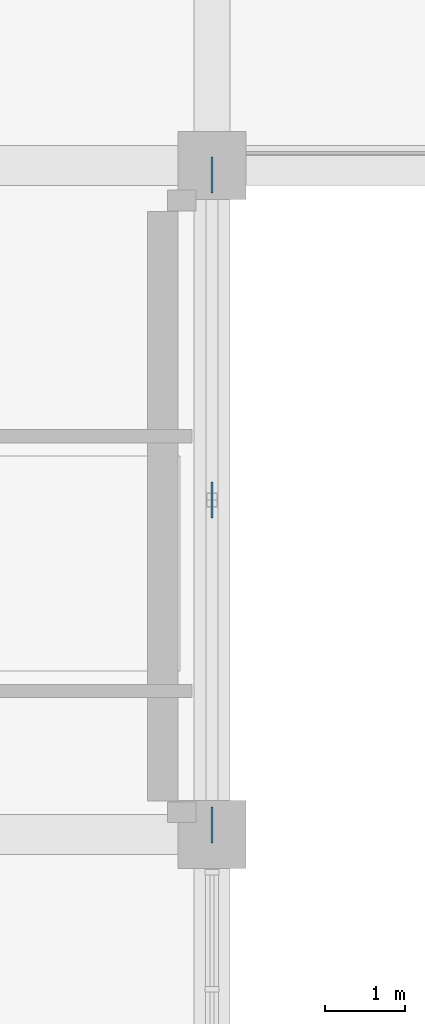
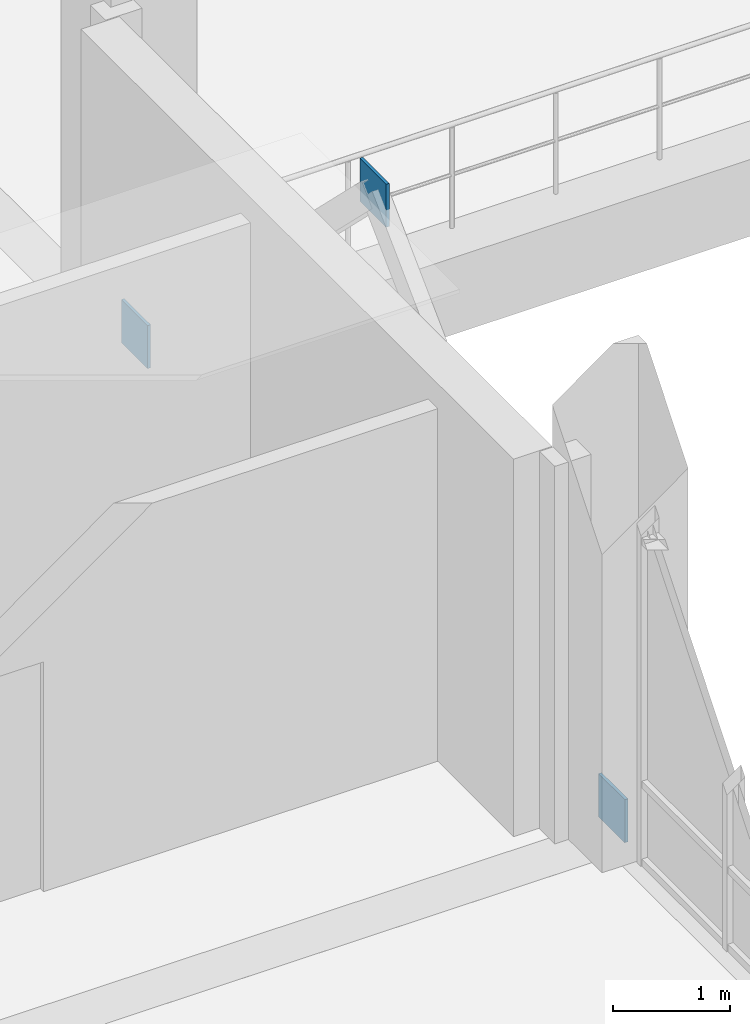
# One storey, part 112 of 152: 3 plates.
"""IFC4 building model written with IfcOpenShell, lengths in metres."""

from ifc_helpers import new_model, si_unit, direction, frame, origin, origin_2d, place, context, subcontext, project, spatial, rectangle, extrude, material, layer, layer_set, type_object, element, save


model = new_model("IFC4")

# Units and contexts
model_context = context("Model", 3, precision=1e-05, world=origin(), true_north=direction((0.0, 1.0)))
body_context = subcontext(model_context, "Body", "Model", "MODEL_VIEW")
ifc_project = project(units=[si_unit("LENGTHUNIT", "METRE"), si_unit("AREAUNIT", "SQUARE_METRE"), si_unit("VOLUMEUNIT", "CUBIC_METRE"), si_unit("PLANEANGLEUNIT", "RADIAN"), si_unit("MASSUNIT", "GRAM", prefix="KILO")], contexts=[model_context])

# Site, building, storey
site_placement = place(None, origin())
site = spatial("IfcSite", under=ifc_project, at=site_placement, CompositionType="ELEMENT")
building_placement = place(site_placement, origin())
building = spatial("IfcBuilding", under=site, at=building_placement, Name="Oolite Switchyard Hospital", CompositionType="ELEMENT")
storey_placement = place(building_placement, frame((0.0, 0.0, 5.10009765625)))
storey = spatial("IfcBuildingStorey", under=building, at=storey_placement, Name="L01", CompositionType="ELEMENT", Elevation=5.10009765625)

# Plates
ifc_material = material(Name="Steel ASTM A572 Grade 50", Category="steel")
ifc_layer = layer(ifc_material, 0.030029296875)
ifc_layer_set = layer_set([ifc_layer], Name="PLT-GUS-450")
plate_type = type_object("IfcPlateType", Name="PLT-GUS-450", PredefinedType="SHEET", material=ifc_layer_set)
for number, where, z_axis, x_axis, name in (
    (1, (67.199951171875, 16.919921875, -0.02490234375), (0.0, 0.0, 1.0), (0.0, 1.0, 0.0), "L01 Brace Base Gusset Plate 133"),
    (2, (67.199951171875, 25.080078125, -0.02490234375), (0.0, 0.0, 1.0), (0.0, 1.0, 0.0), "L01 Brace Base Gusset Plate 134"),
    (3, (67.199951171875, 21.0, 3.9248046875), (0.0, 0.0, 1.0), (0.0, 1.0, 0.0), "L01 Gusset Connection Plate 135"),
):
    element("IfcPlate", number, at=place(storey_placement, frame(where, z_axis=z_axis, x_axis=x_axis)), inside=storey, type_object=plate_type, Name=name, PredefinedType="SHEET", context=body_context, shape_type="SweptSolid", body=[
        extrude(rectangle(XDim=0.449951171875, YDim=0.030029296875, at=origin_2d()), origin(), (0.0, 0.0, 1.0), 0.449951171875),
    ])

save(model, "model.ifc")
